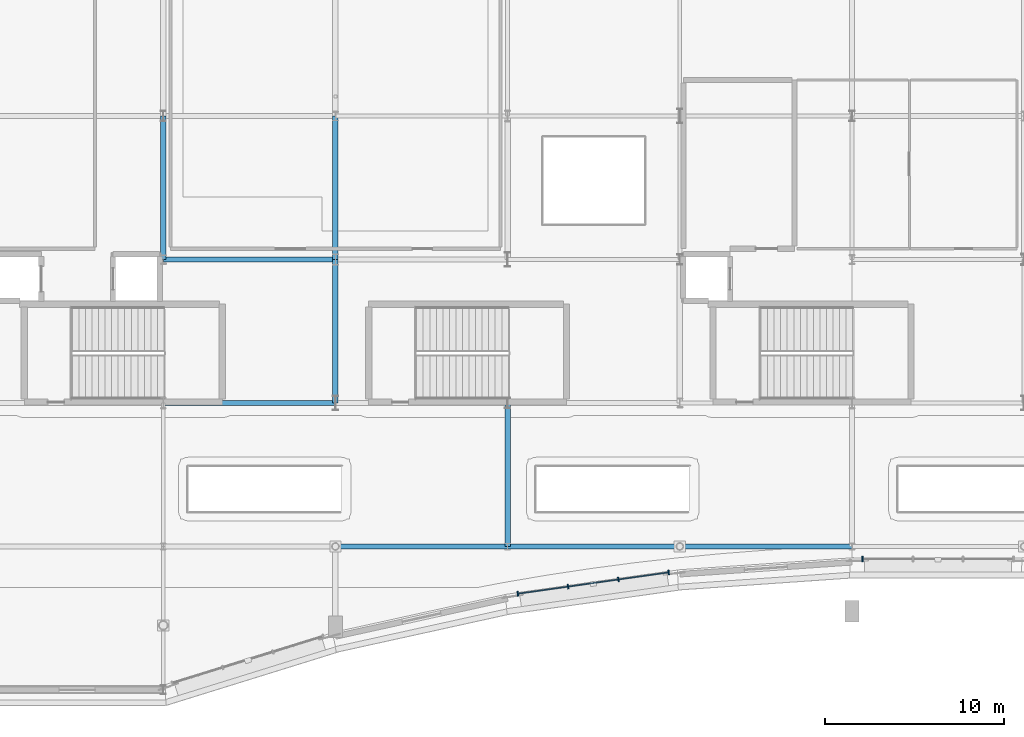
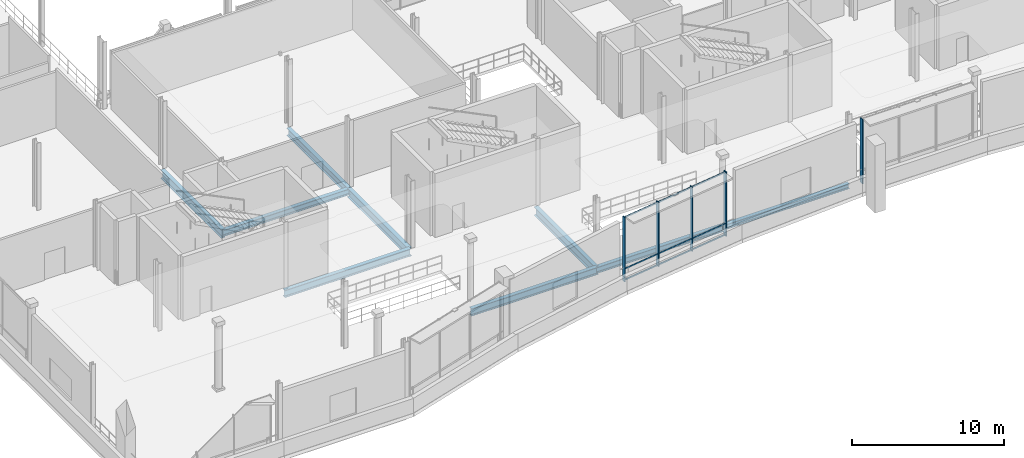
# One storey, part 29 of 129: 9 beams, 8 members, 2 elements without a shape of their own.
"""IFC4 building model written with IfcOpenShell, lengths in metres."""

from ifc_helpers import new_model, si_unit, direction, frame, origin, origin_2d, place, context, subcontext, project, spatial, rectangle, i_section, extrude, material, material_profile, profile_set, type_object, element, aggregate, save


model = new_model("IFC4")

# Units and contexts
model_context = context("Model", 3, precision=1e-05, world=origin(), true_north=direction((0.0, 1.0)))
body_context = subcontext(model_context, "Body", "Model", "MODEL_VIEW")
ifc_project = project(units=[si_unit("LENGTHUNIT", "METRE"), si_unit("AREAUNIT", "SQUARE_METRE"), si_unit("VOLUMEUNIT", "CUBIC_METRE"), si_unit("PLANEANGLEUNIT", "RADIAN"), si_unit("MASSUNIT", "GRAM", prefix="KILO")], contexts=[model_context])

# Site, building, storey
site_placement = place(None, origin())
site = spatial("IfcSite", under=ifc_project, at=site_placement, CompositionType="ELEMENT")
building_placement = place(site_placement, origin())
building = spatial("IfcBuilding", under=site, at=building_placement, Name="Danafjord Basin Convention Centre", CompositionType="ELEMENT")
storey_placement = place(building_placement, frame((0.0, 0.0, 6.0)))
storey = spatial("IfcBuildingStorey", under=building, at=storey_placement, Name="L01", CompositionType="ELEMENT", Elevation=6.0)

# Beams
ifc_material_1 = material(Name="Steel S355", Category="steel")
ifc_material_profile_1 = material_profile(ifc_material_1, i_section(OverallWidth=0.300048828125, OverallDepth=0.389892578125, WebThickness=0.010986328125, FlangeThickness=0.01904296875, FilletRadius=0.027099609375, at=origin_2d()), Name="HEA 400")
ifc_profile_set_1 = profile_set([ifc_material_profile_1], Name="Steel S355")
beam_type_1 = type_object("IfcBeamType", Name="BEAM-BM-HEA400", PredefinedType="BEAM", material=ifc_profile_set_1)
beam_1_placement = place(storey_placement, frame((48.0, 8.0, -0.425048828125), z_axis=(1.0, 0.0, 0.0), x_axis=(0.0, 1.0, 0.0)))
element("IfcBeam", 1, at=beam_1_placement, inside=storey, type_object=beam_type_1, Name="L01 girder BM-HEA400", PredefinedType="BEAM", context=body_context, shape_type="SweptSolid", body=[
    extrude(i_section(OverallWidth=0.300048828125, OverallDepth=0.389892578125, WebThickness=0.010986328125, FlangeThickness=0.01904296875, FilletRadius=0.027099609375, at=origin_2d()), origin(), (0.0, 0.0, 1.0), 9.60009765625),
])
ifc_material_profile_2 = material_profile(ifc_material_1, i_section(OverallWidth=0.300048828125, OverallDepth=0.489990234375, WebThickness=0.011962890625, FlangeThickness=0.02294921875, FilletRadius=0.027099609375, at=origin_2d()), Name="HEA 500")
ifc_profile_set_2 = profile_set([ifc_material_profile_2], Name="Steel S355")
beam_type_2 = type_object("IfcBeamType", Name="BEAM-BM-HEA500", PredefinedType="BEAM", material=ifc_profile_set_2)
for number, where, z_axis, x_axis, name in (
    (2, (19.199951171875, 24.0, -0.47509765625), (1.0, 0.0, 0.0), (0.0, 1.0, 0.0), "L01 girder BM-HEA500"),
    (3, (38.39990234375, 8.0, -0.47509765625), (1.0, 0.0, 0.0), (0.0, 1.0, 0.0), "L01 girder BM-HEA500"),
):
    element("IfcBeam", number, at=place(storey_placement, frame(where, z_axis=z_axis, x_axis=x_axis)), inside=storey, type_object=beam_type_2, Name=name, PredefinedType="BEAM", context=body_context, shape_type="SweptSolid", body=[
        extrude(i_section(OverallWidth=0.300048828125, OverallDepth=0.489990234375, WebThickness=0.011962890625, FlangeThickness=0.02294921875, FilletRadius=0.027099609375, at=origin_2d()), origin(), (0.0, 0.0, 1.0), 9.60009765625),
    ])
ifc_material_profile_3 = material_profile(ifc_material_1, i_section(OverallWidth=0.300048828125, OverallDepth=0.590087890625, WebThickness=0.012939453125, FlangeThickness=0.02490234375, FilletRadius=0.027099609375, at=origin_2d()), Name="HEA 600")
ifc_profile_set_3 = profile_set([ifc_material_profile_3], Name="Steel S355")
beam_type_3 = type_object("IfcBeamType", Name="BEAM-BM-HEA600", PredefinedType="BEAM", material=ifc_profile_set_3)
beam_2_placement = place(storey_placement, frame((19.199951171875, 16.0, -0.52490234375), z_axis=(1.0, 0.0, 0.0), x_axis=(0.0, 1.0, 0.0)))
element("IfcBeam", 4, at=beam_2_placement, inside=storey, type_object=beam_type_3, Name="L01 girder BM-HEA600", PredefinedType="BEAM", context=body_context, shape_type="SweptSolid", body=[
    extrude(i_section(OverallWidth=0.300048828125, OverallDepth=0.590087890625, WebThickness=0.012939453125, FlangeThickness=0.02490234375, FilletRadius=0.027099609375, at=origin_2d()), origin(), (0.0, 0.0, 1.0), 9.60009765625),
])
beam_3_placement = place(storey_placement, frame((28.800048828125, 8.0, -0.52490234375), z_axis=(1.0, 0.0, 0.0), x_axis=(0.0, 1.0, 0.0)))
element("IfcBeam", 5, at=beam_3_placement, inside=storey, type_object=beam_type_3, Name="L01 girder BM-HEA600", PredefinedType="BEAM", context=body_context, shape_type="SweptSolid", body=[
    extrude(i_section(OverallWidth=0.300048828125, OverallDepth=0.590087890625, WebThickness=0.012939453125, FlangeThickness=0.02490234375, FilletRadius=0.027099609375, at=origin_2d()), origin(), (0.0, 0.0, 1.0), 9.599853515625),
])
ifc_material_profile_4 = material_profile(ifc_material_1, i_section(OverallWidth=0.300048828125, OverallDepth=0.60009765625, WebThickness=0.015380859375, FlangeThickness=0.030029296875, FilletRadius=0.027099609375, at=origin_2d()), Name="HEB 600")
ifc_profile_set_4 = profile_set([ifc_material_profile_4], Name="Steel S355")
beam_type_4 = type_object("IfcBeamType", Name="BEAM-BM-HEB600", PredefinedType="BEAM", material=ifc_profile_set_4)
beam_4_placement = place(storey_placement, frame((28.800048828125, 24.0, -0.530029296875), z_axis=(0.0, 1.0, 0.0), x_axis=(-1.0, 0.0, 0.0)))
element("IfcBeam", 6, at=beam_4_placement, inside=storey, type_object=beam_type_4, Name="L01 transverse girder BM-HEB600", PredefinedType="BEAM", context=body_context, shape_type="SweptSolid", body=[
    extrude(i_section(OverallWidth=0.300048828125, OverallDepth=0.60009765625, WebThickness=0.015380859375, FlangeThickness=0.030029296875, FilletRadius=0.027099609375, at=origin_2d()), origin(), (0.0, 0.0, 1.0), 8.0),
])
ifc_material_profile_5 = material_profile(ifc_material_1, i_section(OverallWidth=0.300048828125, OverallDepth=0.699951171875, WebThickness=0.01708984375, FlangeThickness=0.031982421875, FilletRadius=0.027099609375, at=origin_2d()), Name="HEB 700")
ifc_profile_set_5 = profile_set([ifc_material_profile_5], Name="Steel S355")
beam_type_5 = type_object("IfcBeamType", Name="BEAM-BM-HEB700", PredefinedType="BEAM", material=ifc_profile_set_5)
for number, where, z_axis, x_axis, name in (
    (7, (19.199951171875, 24.0, -0.580078125), (0.0, 1.0, 0.0), (-1.0, 0.0, 0.0), "L01 transverse girder BM-HEB700"),
    (8, (28.800048828125, 16.0, -0.580078125), (0.0, 1.0, 0.0), (-1.0, 0.0, 0.0), "L01 transverse girder BM-HEB700"),
    (9, (38.39990234375, 8.0, -0.580078125), (0.0, 1.0, 0.0), (-1.0, 0.0, 0.0), "L01 transverse girder BM-HEB700"),
):
    element("IfcBeam", number, at=place(storey_placement, frame(where, z_axis=z_axis, x_axis=x_axis)), inside=storey, type_object=beam_type_5, Name=name, PredefinedType="BEAM", context=body_context, shape_type="SweptSolid", body=[
        extrude(i_section(OverallWidth=0.300048828125, OverallDepth=0.699951171875, WebThickness=0.01708984375, FlangeThickness=0.031982421875, FilletRadius=0.027099609375, at=origin_2d()), origin(), (0.0, 0.0, 1.0), 8.0),
    ])

# Curtain wall, members
ifc_material_2 = material(Name="Anodised aluminium and triple glazing", Category="aluminium")
curtain_wall_type = type_object("IfcCurtainWallType", Name="CW-CW-HARB", PredefinedType="NOTDEFINED", material=ifc_material_2)
curtain_wall_1_placement = place(storey_placement, origin())
curtain_wall_1 = element("IfcCurtainWall", 10, at=curtain_wall_1_placement, inside=storey, type_object=curtain_wall_type, Name="L01 CW-HARB unitised curtain wall bay 18", PredefinedType="NOTDEFINED")
ifc_material_3 = material(Name="Anodised aluminium EN AW-6060", Category="aluminium")
ifc_material_profile_6 = material_profile(ifc_material_3, rectangle(XDim=0.070068359375, YDim=0.260009765625, at=origin_2d()), Name="MULL 70x260")
ifc_profile_set_6 = profile_set([ifc_material_profile_6], Name="Anodised aluminium EN AW-6060")
member_type_1 = type_object("IfcMemberType", Name="MEM-ML-260", PredefinedType="MULLION", material=ifc_profile_set_6)
member_1_placement = place(storey_placement, frame((38.9677734375, 5.36376953125, -0.02490234375), z_axis=(0.0, 0.0, 1.0), x_axis=(0.990128157327, 0.140165017276, 0.0)))
member_1 = element("IfcMember", 11, at=member_1_placement, type_object=member_type_1, Name="CW-L01-018 mullion 1", PredefinedType="MULLION", context=body_context, shape_type="SweptSolid", body=[
    extrude(rectangle(XDim=0.070068359375, YDim=0.260009765625, at=origin_2d()), origin(), (0.0, 0.0, 1.0), 5.184814453125),
])
member_2_placement = place(storey_placement, frame((41.771484375, 5.760498046875, -0.02490234375), z_axis=(0.0, 0.0, 1.0), x_axis=(0.990128157327, 0.140165017276, 0.0)))
member_2 = element("IfcMember", 12, at=member_2_placement, type_object=member_type_1, Name="CW-L01-018 mullion 2", PredefinedType="MULLION", context=body_context, shape_type="SweptSolid", body=[
    extrude(rectangle(XDim=0.070068359375, YDim=0.260009765625, at=origin_2d()), origin(), (0.0, 0.0, 1.0), 5.184814453125),
])
member_3_placement = place(storey_placement, frame((44.57568359375, 6.15771484375, -0.02490234375), z_axis=(0.0, 0.0, 1.0), x_axis=(0.990128157327, 0.140165017276, 0.0)))
member_3 = element("IfcMember", 13, at=member_3_placement, type_object=member_type_1, Name="CW-L01-018 mullion 3", PredefinedType="MULLION", context=body_context, shape_type="SweptSolid", body=[
    extrude(rectangle(XDim=0.070068359375, YDim=0.260009765625, at=origin_2d()), origin(), (0.0, 0.0, 1.0), 5.184814453125),
])
member_4_placement = place(storey_placement, frame((47.37939453125, 6.554443359375, -0.02490234375), z_axis=(0.0, 0.0, 1.0), x_axis=(0.990128157327, 0.140165017276, 0.0)))
member_4 = element("IfcMember", 14, at=member_4_placement, type_object=member_type_1, Name="CW-L01-018 mullion 4", PredefinedType="MULLION", context=body_context, shape_type="SweptSolid", body=[
    extrude(rectangle(XDim=0.070068359375, YDim=0.260009765625, at=origin_2d()), origin(), (0.0, 0.0, 1.0), 5.184814453125),
])

# Curtain wall, member
curtain_wall_2_placement = place(storey_placement, origin())
curtain_wall_2 = element("IfcCurtainWall", 15, at=curtain_wall_2_placement, inside=storey, type_object=curtain_wall_type, Name="L01 CW-HARB unitised curtain wall bay 19", PredefinedType="NOTDEFINED")
ifc_material_profile_7 = material_profile(ifc_material_3, rectangle(XDim=0.080078125, YDim=0.300048828125, at=origin_2d()), Name="MULL 80x300")
ifc_profile_set_7 = profile_set([ifc_material_profile_7], Name="Anodised aluminium EN AW-6060")
member_type_2 = type_object("IfcMemberType", Name="MEM-ML-300", PredefinedType="MULLION", material=ifc_profile_set_7)
member_5_placement = place(storey_placement, frame((58.199951171875, 7.300048828125, -0.02490234375), z_axis=(0.0, 0.0, 1.0), x_axis=(1.0, 0.0, 0.0)))
member_5 = element("IfcMember", 16, at=member_5_placement, type_object=member_type_2, Name="CW-L01-019 mullion 1", PredefinedType="MULLION", context=body_context, shape_type="SweptSolid", body=[
    extrude(rectangle(XDim=0.080078125, YDim=0.300048828125, at=origin_2d()), origin(), (0.0, 0.0, 1.0), 5.184814453125),
])
aggregate(curtain_wall_2, [member_5])

# Member
ifc_material_profile_8 = material_profile(ifc_material_3, rectangle(XDim=0.06005859375, YDim=0.110107421875, at=origin_2d()), Name="TRAN 60x110")
ifc_profile_set_8 = profile_set([ifc_material_profile_8], Name="Anodised aluminium EN AW-6060")
member_type_3 = type_object("IfcMemberType", Name="MEM-TR-110", PredefinedType="USERDEFINED", material=ifc_profile_set_8)
member_6_placement = place(storey_placement, frame((38.9677734375, 5.36376953125, 0.06005859375), z_axis=(0.990129730136, 0.14015390648, 0.0), x_axis=(-0.14015390648, 0.990129730136, 0.0)))
member_6 = element("IfcMember", 17, at=member_6_placement, type_object=member_type_3, Name="CW-L01-018 transom 1", ObjectType="TRANSOM", PredefinedType="USERDEFINED", context=body_context, shape_type="SweptSolid", body=[
    extrude(rectangle(XDim=0.06005859375, YDim=0.110107421875, at=origin_2d()), origin(), (0.0, 0.0, 1.0), 8.495361328125),
])

member_7_placement = place(storey_placement, frame((38.9677734375, 5.36376953125, 0.949951171875), z_axis=(0.990129730136, 0.14015390648, 0.0), x_axis=(-0.14015390648, 0.990129730136, 0.0)))
member_7 = element("IfcMember", 18, at=member_7_placement, type_object=member_type_3, Name="CW-L01-018 transom 2", ObjectType="TRANSOM", PredefinedType="USERDEFINED", context=body_context, shape_type="SweptSolid", body=[
    extrude(rectangle(XDim=0.06005859375, YDim=0.110107421875, at=origin_2d()), origin(), (0.0, 0.0, 1.0), 8.495361328125),
])

member_8_placement = place(storey_placement, frame((38.9677734375, 5.36376953125, 5.090087890625), z_axis=(0.990129730136, 0.14015390648, 0.0), x_axis=(-0.14015390648, 0.990129730136, 0.0)))
member_8 = element("IfcMember", 19, at=member_8_placement, type_object=member_type_3, Name="CW-L01-018 transom 3", ObjectType="TRANSOM", PredefinedType="USERDEFINED", context=body_context, shape_type="SweptSolid", body=[
    extrude(rectangle(XDim=0.06005859375, YDim=0.110107421875, at=origin_2d()), origin(), (0.0, 0.0, 1.0), 8.495361328125),
])

aggregate(curtain_wall_1, [member_1, member_2, member_3, member_4, member_6, member_7, member_8])

save(model, "model.ifc")
